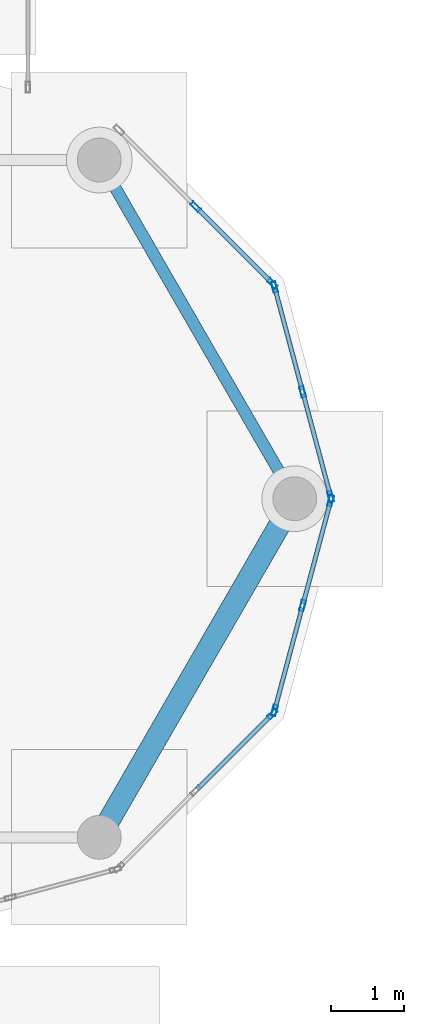
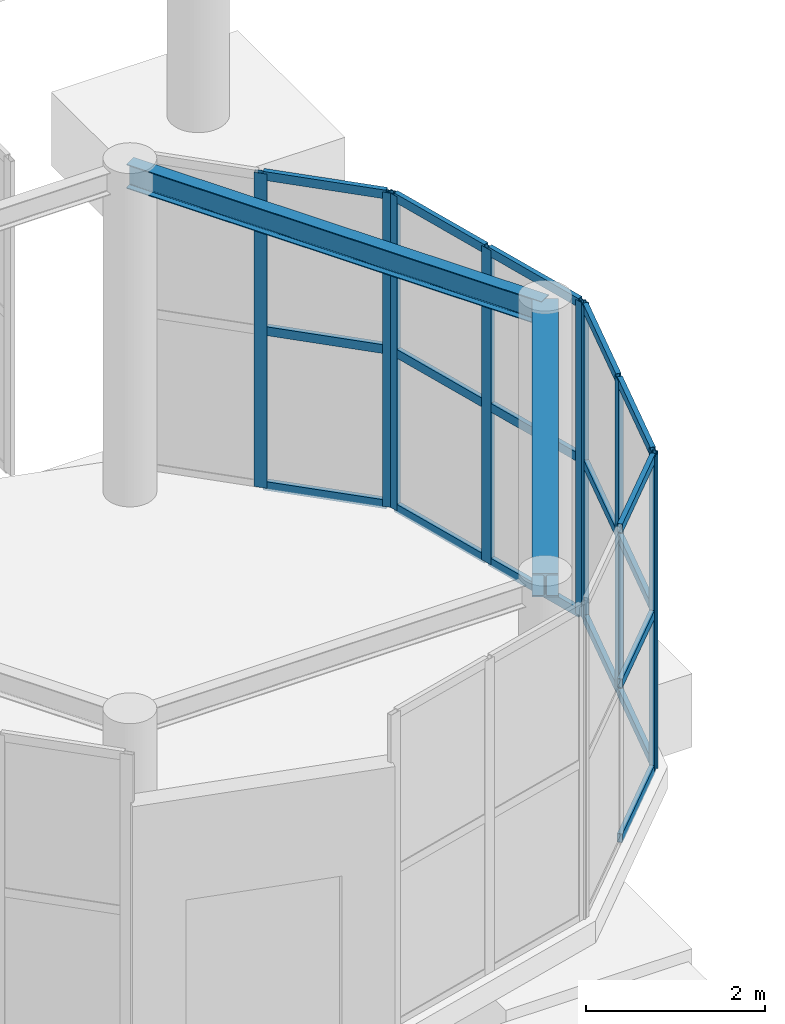
# One storey, part 49 of 139: 27 members, 2 beams, 4 elements without a shape of their own.
"""IFC4 building model written with IfcOpenShell, lengths in metres."""

import ifcopenshell
import ifcopenshell.guid

model = None  # the IFC model being written
_history = None  # IfcOwnerHistory: only IFC2X3 demands one
_inside = {}  # id of a spatial element -> (the spatial element, [elements in it])
_under = {}  # id of a project, library or spatial element -> (it, [spatial elements below it])
_declared = {}  # id of a project -> (the project, [libraries it declares])
_typed = {}  # id of a type object -> (the type object, [elements of that type])
_made_of = {}  # id of a material, layer set ... -> (it, [elements and type objects made of it])


def new_model(schema):
    """Start an empty IFC model of exactly this schema.

    Asked for "IFC4X3", IfcOpenShell would pick the latest addendum, in which some entities
    have other attributes; the version numbers below select the first issue.
    IFC2X3 requires an IfcOwnerHistory on every rooted entity: one is made here for all.
    """
    global model, _history
    if schema == "IFC4X3":
        model = ifcopenshell.file(schema_version=(4, 3, 0, 0))
    else:
        model = ifcopenshell.file(schema=schema)
    _inside.clear()
    _under.clear()
    _declared.clear()
    _typed.clear()
    _made_of.clear()
    _history = None
    if model.schema == "IFC2X3":
        org = make("IfcOrganization", Name="unknown")
        user = make(
            "IfcPersonAndOrganization",
            ThePerson=make("IfcPerson", FamilyName="unknown"),
            TheOrganization=org,
        )
        app = make(
            "IfcApplication",
            ApplicationDeveloper=org,
            Version="unknown",
            ApplicationFullName="unknown",
            ApplicationIdentifier="unknown",
        )
        _history = make(
            "IfcOwnerHistory",
            OwningUser=user,
            OwningApplication=app,
            ChangeAction="ADDED",
            CreationDate=0,
        )
    return model


def make(cls, **values):
    """One entity of the class cls with the attributes given. An attribute that is None is left unset."""
    return model.create_entity(
        cls, **{name: value for name, value in values.items() if value is not None}
    )


def rooted(cls, **values):
    """An entity with a GlobalId (a new one), such as an element, a storey or a relation."""
    return make(cls, GlobalId=ifcopenshell.guid.new(), OwnerHistory=_history, **values)


def si_unit(unit_type, name, prefix=None):
    """IfcSIUnit, for example si_unit("LENGTHUNIT", "METRE", prefix="MILLI")."""
    return make("IfcSIUnit", UnitType=unit_type, Prefix=prefix, Name=name)


def assignment(units):
    """IfcUnitAssignment: the units of a project."""
    return None if units is None else make("IfcUnitAssignment", Units=units)


def point(xyz):
    """IfcCartesianPoint."""
    return None if xyz is None else make("IfcCartesianPoint", Coordinates=xyz)


def direction(xyz):
    """IfcDirection."""
    return None if xyz is None else make("IfcDirection", DirectionRatios=xyz)


def frame(location, z_axis=None, x_axis=None):
    """IfcAxis2Placement3D, a coordinate frame: its origin and axes. An axis left out is left unset."""
    return make(
        "IfcAxis2Placement3D",
        Location=point(location),
        Axis=direction(z_axis),
        RefDirection=direction(x_axis),
    )


def frame_2d(location, x_axis=None):
    """IfcAxis2Placement2D, a coordinate frame in the plane: its origin and x axis."""
    return make(
        "IfcAxis2Placement2D", Location=point(location), RefDirection=direction(x_axis)
    )


def origin():
    """The frame at (0, 0, 0) with its axes left unset."""
    return frame((0.0, 0.0, 0.0))


def origin_2d():
    """The frame at (0, 0) in the plane with its x axis left unset."""
    return frame_2d((0.0, 0.0))


def place(relative_to, where):
    """IfcLocalPlacement: puts the frame where relative to a parent placement (None: the world)."""
    return make(
        "IfcLocalPlacement", PlacementRelTo=relative_to, RelativePlacement=where
    )


def context(
    kind, dimensions, precision=None, world=None, true_north=None, identifier=None
):
    """IfcGeometricRepresentationContext, for example the 3D "Model" context."""
    return make(
        "IfcGeometricRepresentationContext",
        ContextIdentifier=identifier,
        ContextType=kind,
        CoordinateSpaceDimension=dimensions,
        Precision=precision,
        WorldCoordinateSystem=world,
        TrueNorth=true_north,
    )


def subcontext(parent, identifier, kind, view, scale=None):
    """IfcGeometricRepresentationSubContext, for example "Body" below "Model"."""
    return make(
        "IfcGeometricRepresentationSubContext",
        ContextIdentifier=identifier,
        ContextType=kind,
        ParentContext=parent,
        TargetScale=scale,
        TargetView=view,
    )


def project(units=None, contexts=None):
    """IfcProject with its units and contexts."""
    return rooted(
        "IfcProject",
        Name="project",
        RepresentationContexts=contexts,
        UnitsInContext=assignment(units),
    )


def spatial(cls, under=None, at=None, **own):
    """A site, building, storey or space (cls), placed at a placement, below another one or the project."""
    s = rooted(cls, ObjectPlacement=at, **own)
    if under is not None:
        _under.setdefault(under.id(), (under, []))[1].append(s)
    return s


def profile(cls, at=None, kind="AREA", **sizes):
    """A parametric profile (cls). Its sizes go by their IFC names, for example OverallWidth=200.0."""
    return make(cls, ProfileType=kind, Position=at, **sizes)


def hollow_rectangle(**sizes):
    """IfcRectangleHollowProfileDef."""
    return profile("IfcRectangleHollowProfileDef", **sizes)


def i_section(**sizes):
    """IfcIShapeProfileDef."""
    return profile("IfcIShapeProfileDef", **sizes)


def extrude(swept, where, along, depth):
    """IfcExtrudedAreaSolid: the profile swept, set in the frame where, extruded along a direction by depth."""
    return make(
        "IfcExtrudedAreaSolid",
        SweptArea=swept,
        Position=where,
        ExtrudedDirection=direction(along),
        Depth=depth,
    )


def shape(context_of_items, identifier, shape_type, items):
    """IfcShapeRepresentation: the items that make up one representation, for example the "Body"."""
    return make(
        "IfcShapeRepresentation",
        ContextOfItems=context_of_items,
        RepresentationIdentifier=identifier,
        RepresentationType=shape_type,
        Items=items,
    )


def material(Name=None, Category=None):
    """IfcMaterial."""
    return make("IfcMaterial", Name=Name, Category=Category)


def layer(
    of_material, thickness, ventilated=None, Name=None, Category=None, Priority=None
):
    """IfcMaterialLayer: one layer of a wall or slab, of a material (None: an air gap)."""
    return make(
        "IfcMaterialLayer",
        Material=of_material,
        LayerThickness=thickness,
        IsVentilated=ventilated,
        Name=Name,
        Category=Category,
        Priority=Priority,
    )


def layer_set(layers, Name=None):
    """IfcMaterialLayerSet."""
    return make("IfcMaterialLayerSet", MaterialLayers=layers, LayerSetName=Name)


def material_profile(
    of_material, cross_section, Name=None, Category=None, Priority=None
):
    """IfcMaterialProfile: a cross section and its material."""
    return make(
        "IfcMaterialProfile",
        Name=Name,
        Material=of_material,
        Profile=cross_section,
        Priority=Priority,
        Category=Category,
    )


def profile_set(profiles, Name=None, composite=None):
    """IfcMaterialProfileSet."""
    return make(
        "IfcMaterialProfileSet",
        Name=Name,
        MaterialProfiles=profiles,
        CompositeProfile=composite,
    )


def made_of(thing, what):
    """Note that an element or type object is made of a material, layer set ...; save() writes the relation."""
    if what is not None:
        _made_of.setdefault(what.id(), (what, []))[1].append(thing)
    return thing


def type_object(cls, material=None, **own):
    """A type object (cls), such as IfcWallType, which elements share."""
    return made_of(rooted(cls, **own), material)


def element(
    cls,
    number,
    at=None,
    inside=None,
    cuts=None,
    type_object=None,
    material=None,
    context=None,
    identifier="Body",
    shape_type=None,
    held_by="IfcProductDefinitionShape",
    body=None,
    shapes=None,
    **own,
):
    """One element of the class cls, such as IfcWall. Its Tag is "e" and its number.

    at: its placement. inside: the storey or other place that contains it. cuts: it is an
    opening in that element (IfcRelVoidsElement). A single representation is given by context,
    identifier, shape_type and body (its items); several are given by shapes. held_by: the class
    of the entity that holds the representations. save() writes the other relations.
    """
    e = rooted(cls, Tag="e%d" % number, ObjectPlacement=at, **own)
    if body is not None:
        shapes = [shape(context, identifier, shape_type, body)]
    if shapes is not None:
        e.Representation = make(held_by, Representations=shapes)
    if inside is not None:
        _inside.setdefault(inside.id(), (inside, []))[1].append(e)
    if cuts is not None:
        rooted(
            "IfcRelVoidsElement", RelatingBuildingElement=cuts, RelatedOpeningElement=e
        )
    if type_object is not None:
        _typed.setdefault(type_object.id(), (type_object, []))[1].append(e)
    return made_of(e, material)


def aggregate(whole, parts):
    """IfcRelAggregates: a whole, such as a stair, and the parts it consists of."""
    return rooted("IfcRelAggregates", RelatingObject=whole, RelatedObjects=parts)


def save(model, path):
    """Write the relations noted so far, then the file.

    IfcRelAggregates (storeys below a building ...), IfcRelContainedInSpatialStructure (elements
    in a storey), IfcRelDefinesByType, IfcRelAssociatesMaterial and IfcRelDeclares: one each for
    every whole, place, type object, material and project.
    """
    for whole, parts in _under.values():
        aggregate(whole, parts)
    for where, things in _inside.values():
        rooted(
            "IfcRelContainedInSpatialStructure",
            RelatedElements=things,
            RelatingStructure=where,
        )
    for kind, things in _typed.values():
        rooted("IfcRelDefinesByType", RelatedObjects=things, RelatingType=kind)
    for what, things in _made_of.values():
        rooted("IfcRelAssociatesMaterial", RelatedObjects=things, RelatingMaterial=what)
    for by, libraries in _declared.values():
        rooted("IfcRelDeclares", RelatingContext=by, RelatedDefinitions=libraries)
    model.write(path)


model = new_model("IFC4")

# Units and contexts
model_context = context("Model", 3, precision=1e-05, world=origin(), true_north=direction((0.0, 1.0)))
body_context = subcontext(model_context, "Body", "Model", "MODEL_VIEW")
ifc_project = project(units=[si_unit("LENGTHUNIT", "METRE"), si_unit("AREAUNIT", "SQUARE_METRE"), si_unit("VOLUMEUNIT", "CUBIC_METRE"), si_unit("PLANEANGLEUNIT", "RADIAN"), si_unit("MASSUNIT", "GRAM", prefix="KILO")], contexts=[model_context])

# Site, building, storey
site_placement = place(None, origin())
site = spatial("IfcSite", under=ifc_project, at=site_placement, CompositionType="ELEMENT")
building_placement = place(site_placement, origin())
building = spatial("IfcBuilding", under=site, at=building_placement, Name="Zizhar Promenade General Hospital", CompositionType="ELEMENT")
storey_placement = place(building_placement, origin())
storey = spatial("IfcBuildingStorey", under=building, at=storey_placement, Name="L00", CompositionType="ELEMENT", Elevation=0.0)

# Beams
ifc_material_1 = material(Name="Steel S355", Category="steel")
ifc_material_profile_1 = material_profile(ifc_material_1, i_section(OverallWidth=0.300048828125, OverallDepth=0.320068359375, WebThickness=0.011474609375, FlangeThickness=0.0205078125, FilletRadius=0.027099609375, at=origin_2d()))
ifc_profile_set_1 = profile_set([ifc_material_profile_1], Name="Steel S355")
beam_type_1 = type_object("IfcBeamType", Name="BM-STL-HEB320", PredefinedType="BEAM", material=ifc_profile_set_1)
beam_1_placement = place(storey_placement, frame((147.675048828125, 23.36669921875, 4.340087890625), z_axis=(0.500001594578, 0.866024483152, 0.0), x_axis=(-0.866024483152, 0.500001594578, 0.0)))
element("IfcBeam", 1, at=beam_1_placement, inside=storey, type_object=beam_type_1, Name="PAV-1 Roof Ring Beam 6", PredefinedType="BEAM", context=body_context, shape_type="SweptSolid", body=[
    extrude(i_section(OverallWidth=0.300048828125, OverallDepth=0.320068359375, WebThickness=0.011474609375, FlangeThickness=0.0205078125, FilletRadius=0.027099609375, at=origin_2d()), origin(), (0.0, 0.0, 1.0), 5.35009765625),
])
ifc_material_2 = material(Name="Steel S355", Category="steel")
ifc_material_profile_2 = material_profile(ifc_material_2, i_section(OverallWidth=0.159912109375, OverallDepth=0.330078125, WebThickness=0.007568359375, FlangeThickness=0.011474609375, FilletRadius=0.01806640625, at=origin_2d()))
ifc_profile_set_2 = profile_set([ifc_material_profile_2], Name="Steel S355")
beam_type_2 = type_object("IfcBeamType", Name="BM-STL-IPE330", PredefinedType="JOIST", material=ifc_profile_set_2)
beam_2_placement = place(storey_placement, frame((150.35009765625, 28.0, 4.340087890625), z_axis=(-0.500001594578, 0.866024483152, 0.0), x_axis=(-0.866024483152, -0.500001594578, 0.0)))
element("IfcBeam", 2, at=beam_2_placement, inside=storey, type_object=beam_type_2, Name="PAV-1 Roof Ring Beam 1", PredefinedType="JOIST", context=body_context, shape_type="SweptSolid", body=[
    extrude(i_section(OverallWidth=0.159912109375, OverallDepth=0.330078125, WebThickness=0.007568359375, FlangeThickness=0.011474609375, FilletRadius=0.01806640625, at=origin_2d()), origin(), (0.0, 0.0, 1.0), 5.35009765625),
])

# Curtain wall, members
ifc_material_3 = material(Name="Anodised aluminium 6063-T6 and low-E glass", Category="aluminium")
ifc_layer = layer(ifc_material_3, 0.159912109375)
ifc_layer_set = layer_set([ifc_layer], Name="Anodised aluminium 6063-T6 and low-E glass")
curtain_wall_type = type_object("IfcCurtainWallType", Name="CW-PAV-GLZ", PredefinedType="NOTDEFINED", material=ifc_layer_set)
curtain_wall_1_placement = place(storey_placement, origin())
curtain_wall_1 = element("IfcCurtainWall", 3, at=curtain_wall_1_placement, inside=storey, type_object=curtain_wall_type, Name="Outpatient Welcome Pavilion Curved Glazing 1", PredefinedType="NOTDEFINED")
ifc_material_4 = material(Name="Anodised aluminium 6063-T6", Category="aluminium")
ifc_material_profile_3 = material_profile(ifc_material_4, hollow_rectangle(XDim=0.06005859375, YDim=0.14990234375, WallThickness=0.00390625, at=origin_2d()))
ifc_profile_set_3 = profile_set([ifc_material_profile_3], Name="Anodised aluminium 6063-T6")
member_type_1 = type_object("IfcMemberType", Name="CWM-ALU-150x60", PredefinedType="MULLION", material=ifc_profile_set_3)
member_1_placement = place(storey_placement, frame((150.073974609375, 30.89599609375, 0.0), z_axis=(0.0, 0.0, 1.0), x_axis=(0.965921812881, 0.25883402288, 0.0)))
member_1 = element("IfcMember", 4, at=member_1_placement, type_object=member_type_1, Name="CW-14 mullion 1", PredefinedType="MULLION", context=body_context, shape_type="SweptSolid", body=[
    extrude(hollow_rectangle(XDim=0.06005859375, YDim=0.14990234375, WallThickness=0.00390625, at=origin_2d()), origin(), (0.0, 0.0, 1.0), 4.280029296875),
])
member_2_placement = place(storey_placement, frame((150.4580078125, 29.46240234375, 0.0), z_axis=(0.0, 0.0, 1.0), x_axis=(0.965921812881, 0.25883402288, 0.0)))
member_2 = element("IfcMember", 5, at=member_2_placement, type_object=member_type_1, Name="CW-14 mullion 2", PredefinedType="MULLION", context=body_context, shape_type="SweptSolid", body=[
    extrude(hollow_rectangle(XDim=0.06005859375, YDim=0.14990234375, WallThickness=0.00390625, at=origin_2d()), origin(), (0.0, 0.0, 1.0), 4.280029296875),
])
member_3_placement = place(storey_placement, frame((150.84228515625, 28.029052734375, 0.0), z_axis=(0.0, 0.0, 1.0), x_axis=(0.965921812881, 0.25883402288, 0.0)))
member_3 = element("IfcMember", 6, at=member_3_placement, type_object=member_type_1, Name="CW-14 mullion 3", PredefinedType="MULLION", context=body_context, shape_type="SweptSolid", body=[
    extrude(hollow_rectangle(XDim=0.06005859375, YDim=0.14990234375, WallThickness=0.00390625, at=origin_2d()), origin(), (0.0, 0.0, 1.0), 4.280029296875),
])

curtain_wall_2_placement = place(storey_placement, origin())
curtain_wall_2 = element("IfcCurtainWall", 7, at=curtain_wall_2_placement, inside=storey, type_object=curtain_wall_type, Name="Outpatient Welcome Pavilion Curved Glazing 2", PredefinedType="NOTDEFINED")
member_4_placement = place(storey_placement, frame((148.99560546875, 31.99560546875, 0.0), z_axis=(0.0, 0.0, 1.0), x_axis=(0.707106781187, 0.707106781187, 0.0)))
member_4 = element("IfcMember", 8, at=member_4_placement, type_object=member_type_1, Name="CW-14 mullion 2", PredefinedType="MULLION", context=body_context, shape_type="SweptSolid", body=[
    extrude(hollow_rectangle(XDim=0.06005859375, YDim=0.14990234375, WallThickness=0.00390625, at=origin_2d()), origin(), (0.0, 0.0, 1.0), 4.280029296875),
])
member_5_placement = place(storey_placement, frame((150.044921875, 30.9462890625, 0.0), z_axis=(0.0, 0.0, 1.0), x_axis=(0.707106781187, 0.707106781187, 0.0)))
member_5 = element("IfcMember", 9, at=member_5_placement, type_object=member_type_1, Name="CW-14 mullion 3", PredefinedType="MULLION", context=body_context, shape_type="SweptSolid", body=[
    extrude(hollow_rectangle(XDim=0.06005859375, YDim=0.14990234375, WallThickness=0.00390625, at=origin_2d()), origin(), (0.0, 0.0, 1.0), 4.280029296875),
])

# Curtain wall, member
curtain_wall_3_placement = place(storey_placement, origin())
curtain_wall_3 = element("IfcCurtainWall", 10, at=curtain_wall_3_placement, inside=storey, type_object=curtain_wall_type, Name="Outpatient Welcome Pavilion Curved Glazing 11", PredefinedType="NOTDEFINED")
member_6_placement = place(storey_placement, frame((150.044921875, 25.0537109375, 0.0), z_axis=(0.0, 0.0, 1.0), x_axis=(0.707106781187, -0.707106781187, 0.0)))
member_6 = element("IfcMember", 11, at=member_6_placement, type_object=member_type_1, Name="CW-14 mullion 1", PredefinedType="MULLION", context=body_context, shape_type="SweptSolid", body=[
    extrude(hollow_rectangle(XDim=0.06005859375, YDim=0.14990234375, WallThickness=0.00390625, at=origin_2d()), origin(), (0.0, 0.0, 1.0), 4.280029296875),
])

# Curtain wall, members
curtain_wall_4_placement = place(storey_placement, origin())
curtain_wall_4 = element("IfcCurtainWall", 12, at=curtain_wall_4_placement, inside=storey, type_object=curtain_wall_type, Name="Outpatient Welcome Pavilion Curved Glazing 12", PredefinedType="NOTDEFINED")
member_7_placement = place(storey_placement, frame((150.84228515625, 27.970947265625, 0.0), z_axis=(0.0, 0.0, 1.0), x_axis=(0.965921812881, -0.25883402288, 0.0)))
member_7 = element("IfcMember", 13, at=member_7_placement, type_object=member_type_1, Name="CW-14 mullion 1", PredefinedType="MULLION", context=body_context, shape_type="SweptSolid", body=[
    extrude(hollow_rectangle(XDim=0.06005859375, YDim=0.14990234375, WallThickness=0.00390625, at=origin_2d()), origin(), (0.0, 0.0, 1.0), 4.280029296875),
])
member_8_placement = place(storey_placement, frame((150.4580078125, 26.53759765625, 0.0), z_axis=(0.0, 0.0, 1.0), x_axis=(0.965921812881, -0.25883402288, 0.0)))
member_8 = element("IfcMember", 14, at=member_8_placement, type_object=member_type_1, Name="CW-14 mullion 2", PredefinedType="MULLION", context=body_context, shape_type="SweptSolid", body=[
    extrude(hollow_rectangle(XDim=0.06005859375, YDim=0.14990234375, WallThickness=0.00390625, at=origin_2d()), origin(), (0.0, 0.0, 1.0), 4.280029296875),
])
member_9_placement = place(storey_placement, frame((150.073974609375, 25.10400390625, 0.0), z_axis=(0.0, 0.0, 1.0), x_axis=(0.965921812881, -0.25883402288, 0.0)))
member_9 = element("IfcMember", 15, at=member_9_placement, type_object=member_type_1, Name="CW-14 mullion 3", PredefinedType="MULLION", context=body_context, shape_type="SweptSolid", body=[
    extrude(hollow_rectangle(XDim=0.06005859375, YDim=0.14990234375, WallThickness=0.00390625, at=origin_2d()), origin(), (0.0, 0.0, 1.0), 4.280029296875),
])

# Member
ifc_material_5 = material(Name="Anodised aluminium 6063-T6", Category="aluminium")
ifc_material_profile_4 = material_profile(ifc_material_5, hollow_rectangle(XDim=0.06005859375, YDim=0.1201171875, WallThickness=0.00390625, at=origin_2d()))
ifc_profile_set_4 = profile_set([ifc_material_profile_4], Name="Anodised aluminium 6063-T6")
member_type_2 = type_object("IfcMemberType", Name="CWT-ALU-120x60", PredefinedType="USERDEFINED", material=ifc_profile_set_4)
member_10_placement = place(storey_placement, frame((150.081787109375, 30.866943359375, 0.030029296875), z_axis=(0.258878909043, -0.965909783806, 0.0), x_axis=(0.965909783806, 0.258878909043, 0.0)))
member_10 = element("IfcMember", 16, at=member_10_placement, type_object=member_type_2, Name="CW-14 transom 1.1", ObjectType="TRANSOM", PredefinedType="USERDEFINED", context=body_context, shape_type="SweptSolid", body=[
    extrude(hollow_rectangle(XDim=0.06005859375, YDim=0.1201171875, WallThickness=0.00390625, at=origin_2d()), origin(), (0.0, 0.0, 1.0), 1.424072265625),
])

member_11_placement = place(storey_placement, frame((150.081787109375, 30.866943359375, 2.139892578125), z_axis=(0.258878909043, -0.965909783806, 0.0), x_axis=(0.965909783806, 0.258878909043, 0.0)))
member_11 = element("IfcMember", 17, at=member_11_placement, type_object=member_type_2, Name="CW-14 transom 1.2", ObjectType="TRANSOM", PredefinedType="USERDEFINED", context=body_context, shape_type="SweptSolid", body=[
    extrude(hollow_rectangle(XDim=0.06005859375, YDim=0.1201171875, WallThickness=0.00390625, at=origin_2d()), origin(), (0.0, 0.0, 1.0), 1.424072265625),
])

member_12_placement = place(storey_placement, frame((150.081787109375, 30.866943359375, 4.25), z_axis=(0.258878909043, -0.965909783806, 0.0), x_axis=(0.965909783806, 0.258878909043, 0.0)))
member_12 = element("IfcMember", 18, at=member_12_placement, type_object=member_type_2, Name="CW-14 transom 1.3", ObjectType="TRANSOM", PredefinedType="USERDEFINED", context=body_context, shape_type="SweptSolid", body=[
    extrude(hollow_rectangle(XDim=0.06005859375, YDim=0.1201171875, WallThickness=0.00390625, at=origin_2d()), origin(), (0.0, 0.0, 1.0), 1.424072265625),
])

member_13_placement = place(storey_placement, frame((150.4658203125, 29.43359375, 0.030029296875), z_axis=(0.258836045938, -0.965921270769, 0.0), x_axis=(0.965921270769, 0.258836045938, 0.0)))
member_13 = element("IfcMember", 19, at=member_13_placement, type_object=member_type_2, Name="CW-14 transom 2.1", ObjectType="TRANSOM", PredefinedType="USERDEFINED", context=body_context, shape_type="SweptSolid", body=[
    extrude(hollow_rectangle(XDim=0.06005859375, YDim=0.1201171875, WallThickness=0.00390625, at=origin_2d()), origin(), (0.0, 0.0, 1.0), 1.42431640625),
])

member_14_placement = place(storey_placement, frame((150.4658203125, 29.43359375, 2.139892578125), z_axis=(0.258836045938, -0.965921270769, 0.0), x_axis=(0.965921270769, 0.258836045938, 0.0)))
member_14 = element("IfcMember", 20, at=member_14_placement, type_object=member_type_2, Name="CW-14 transom 2.2", ObjectType="TRANSOM", PredefinedType="USERDEFINED", context=body_context, shape_type="SweptSolid", body=[
    extrude(hollow_rectangle(XDim=0.06005859375, YDim=0.1201171875, WallThickness=0.00390625, at=origin_2d()), origin(), (0.0, 0.0, 1.0), 1.42431640625),
])

member_15_placement = place(storey_placement, frame((150.4658203125, 29.43359375, 4.25), z_axis=(0.258836045938, -0.965921270769, 0.0), x_axis=(0.965921270769, 0.258836045938, 0.0)))
member_15 = element("IfcMember", 21, at=member_15_placement, type_object=member_type_2, Name="CW-14 transom 2.3", ObjectType="TRANSOM", PredefinedType="USERDEFINED", context=body_context, shape_type="SweptSolid", body=[
    extrude(hollow_rectangle(XDim=0.06005859375, YDim=0.1201171875, WallThickness=0.00390625, at=origin_2d()), origin(), (0.0, 0.0, 1.0), 1.42431640625),
])

aggregate(curtain_wall_1, [member_1, member_2, member_3, member_10, member_11, member_12, member_13, member_14, member_15])

member_16_placement = place(storey_placement, frame((149.016845703125, 31.974365234375, 0.030029296875), z_axis=(0.707106781187, -0.707106781187, 0.0), x_axis=(0.707106781187, 0.707106781187, 0.0)))
member_16 = element("IfcMember", 22, at=member_16_placement, type_object=member_type_2, Name="CW-14 transom 2.1", ObjectType="TRANSOM", PredefinedType="USERDEFINED", context=body_context, shape_type="SweptSolid", body=[
    extrude(hollow_rectangle(XDim=0.06005859375, YDim=0.1201171875, WallThickness=0.00390625, at=origin_2d()), origin(), (0.0, 0.0, 1.0), 1.423828125),
])

member_17_placement = place(storey_placement, frame((149.016845703125, 31.974365234375, 2.139892578125), z_axis=(0.707106781187, -0.707106781187, 0.0), x_axis=(0.707106781187, 0.707106781187, 0.0)))
member_17 = element("IfcMember", 23, at=member_17_placement, type_object=member_type_2, Name="CW-14 transom 2.2", ObjectType="TRANSOM", PredefinedType="USERDEFINED", context=body_context, shape_type="SweptSolid", body=[
    extrude(hollow_rectangle(XDim=0.06005859375, YDim=0.1201171875, WallThickness=0.00390625, at=origin_2d()), origin(), (0.0, 0.0, 1.0), 1.423828125),
])

member_18_placement = place(storey_placement, frame((149.016845703125, 31.974365234375, 4.25), z_axis=(0.707106781187, -0.707106781187, 0.0), x_axis=(0.707106781187, 0.707106781187, 0.0)))
member_18 = element("IfcMember", 24, at=member_18_placement, type_object=member_type_2, Name="CW-14 transom 2.3", ObjectType="TRANSOM", PredefinedType="USERDEFINED", context=body_context, shape_type="SweptSolid", body=[
    extrude(hollow_rectangle(XDim=0.06005859375, YDim=0.1201171875, WallThickness=0.00390625, at=origin_2d()), origin(), (0.0, 0.0, 1.0), 1.423828125),
])

aggregate(curtain_wall_2, [member_4, member_5, member_16, member_17, member_18])

member_19_placement = place(storey_placement, frame((150.023681640625, 25.032470703125, 0.030029296875), z_axis=(-0.707106781187, -0.707106781187, 0.0), x_axis=(0.707106781187, -0.707106781187, 0.0)))
member_19 = element("IfcMember", 25, at=member_19_placement, type_object=member_type_2, Name="CW-14 transom 1.1", ObjectType="TRANSOM", PredefinedType="USERDEFINED", context=body_context, shape_type="SweptSolid", body=[
    extrude(hollow_rectangle(XDim=0.06005859375, YDim=0.1201171875, WallThickness=0.00390625, at=origin_2d()), origin(), (0.0, 0.0, 1.0), 1.423828125),
])

member_20_placement = place(storey_placement, frame((150.023681640625, 25.032470703125, 2.139892578125), z_axis=(-0.707106781187, -0.707106781187, 0.0), x_axis=(0.707106781187, -0.707106781187, 0.0)))
member_20 = element("IfcMember", 26, at=member_20_placement, type_object=member_type_2, Name="CW-14 transom 1.2", ObjectType="TRANSOM", PredefinedType="USERDEFINED", context=body_context, shape_type="SweptSolid", body=[
    extrude(hollow_rectangle(XDim=0.06005859375, YDim=0.1201171875, WallThickness=0.00390625, at=origin_2d()), origin(), (0.0, 0.0, 1.0), 1.423828125),
])

member_21_placement = place(storey_placement, frame((150.023681640625, 25.032470703125, 4.25), z_axis=(-0.707106781187, -0.707106781187, 0.0), x_axis=(0.707106781187, -0.707106781187, 0.0)))
member_21 = element("IfcMember", 27, at=member_21_placement, type_object=member_type_2, Name="CW-14 transom 1.3", ObjectType="TRANSOM", PredefinedType="USERDEFINED", context=body_context, shape_type="SweptSolid", body=[
    extrude(hollow_rectangle(XDim=0.06005859375, YDim=0.1201171875, WallThickness=0.00390625, at=origin_2d()), origin(), (0.0, 0.0, 1.0), 1.423828125),
])

aggregate(curtain_wall_3, [member_6, member_19, member_20, member_21])

member_22_placement = place(storey_placement, frame((150.83447265625, 27.942138671875, 0.030029296875), z_axis=(-0.258836045938, -0.965921270769, 0.0), x_axis=(0.965921270769, -0.258836045938, 0.0)))
member_22 = element("IfcMember", 28, at=member_22_placement, type_object=member_type_2, Name="CW-14 transom 1.1", ObjectType="TRANSOM", PredefinedType="USERDEFINED", context=body_context, shape_type="SweptSolid", body=[
    extrude(hollow_rectangle(XDim=0.06005859375, YDim=0.1201171875, WallThickness=0.00390625, at=origin_2d()), origin(), (0.0, 0.0, 1.0), 1.42431640625),
])

member_23_placement = place(storey_placement, frame((150.83447265625, 27.942138671875, 2.139892578125), z_axis=(-0.258836045938, -0.965921270769, 0.0), x_axis=(0.965921270769, -0.258836045938, 0.0)))
member_23 = element("IfcMember", 29, at=member_23_placement, type_object=member_type_2, Name="CW-14 transom 1.2", ObjectType="TRANSOM", PredefinedType="USERDEFINED", context=body_context, shape_type="SweptSolid", body=[
    extrude(hollow_rectangle(XDim=0.06005859375, YDim=0.1201171875, WallThickness=0.00390625, at=origin_2d()), origin(), (0.0, 0.0, 1.0), 1.42431640625),
])

member_24_placement = place(storey_placement, frame((150.83447265625, 27.942138671875, 4.25), z_axis=(-0.258836045938, -0.965921270769, 0.0), x_axis=(0.965921270769, -0.258836045938, 0.0)))
member_24 = element("IfcMember", 30, at=member_24_placement, type_object=member_type_2, Name="CW-14 transom 1.3", ObjectType="TRANSOM", PredefinedType="USERDEFINED", context=body_context, shape_type="SweptSolid", body=[
    extrude(hollow_rectangle(XDim=0.06005859375, YDim=0.1201171875, WallThickness=0.00390625, at=origin_2d()), origin(), (0.0, 0.0, 1.0), 1.42431640625),
])

member_25_placement = place(storey_placement, frame((150.450439453125, 26.508544921875, 0.030029296875), z_axis=(-0.258878909043, -0.965909783806, 0.0), x_axis=(0.965909783806, -0.258878909043, 0.0)))
member_25 = element("IfcMember", 31, at=member_25_placement, type_object=member_type_2, Name="CW-14 transom 2.1", ObjectType="TRANSOM", PredefinedType="USERDEFINED", context=body_context, shape_type="SweptSolid", body=[
    extrude(hollow_rectangle(XDim=0.06005859375, YDim=0.1201171875, WallThickness=0.00390625, at=origin_2d()), origin(), (0.0, 0.0, 1.0), 1.424072265625),
])

member_26_placement = place(storey_placement, frame((150.450439453125, 26.508544921875, 2.139892578125), z_axis=(-0.258878909043, -0.965909783806, 0.0), x_axis=(0.965909783806, -0.258878909043, 0.0)))
member_26 = element("IfcMember", 32, at=member_26_placement, type_object=member_type_2, Name="CW-14 transom 2.2", ObjectType="TRANSOM", PredefinedType="USERDEFINED", context=body_context, shape_type="SweptSolid", body=[
    extrude(hollow_rectangle(XDim=0.06005859375, YDim=0.1201171875, WallThickness=0.00390625, at=origin_2d()), origin(), (0.0, 0.0, 1.0), 1.424072265625),
])

member_27_placement = place(storey_placement, frame((150.450439453125, 26.508544921875, 4.25), z_axis=(-0.258878909043, -0.965909783806, 0.0), x_axis=(0.965909783806, -0.258878909043, 0.0)))
member_27 = element("IfcMember", 33, at=member_27_placement, type_object=member_type_2, Name="CW-14 transom 2.3", ObjectType="TRANSOM", PredefinedType="USERDEFINED", context=body_context, shape_type="SweptSolid", body=[
    extrude(hollow_rectangle(XDim=0.06005859375, YDim=0.1201171875, WallThickness=0.00390625, at=origin_2d()), origin(), (0.0, 0.0, 1.0), 1.424072265625),
])

aggregate(curtain_wall_4, [member_7, member_8, member_9, member_22, member_23, member_24, member_25, member_26, member_27])

save(model, "model.ifc")
